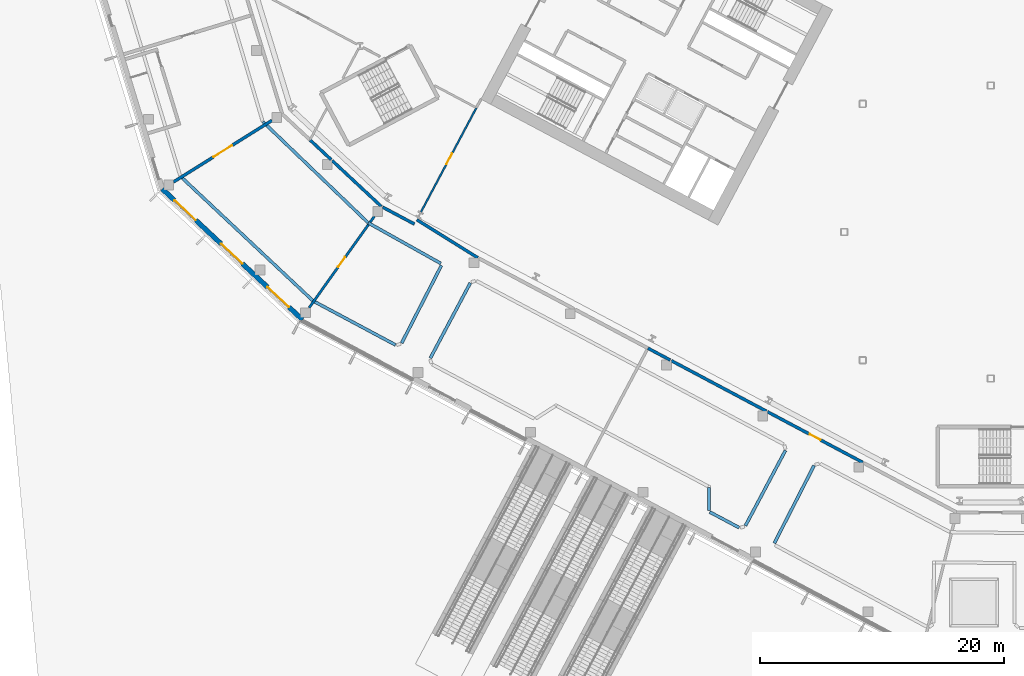
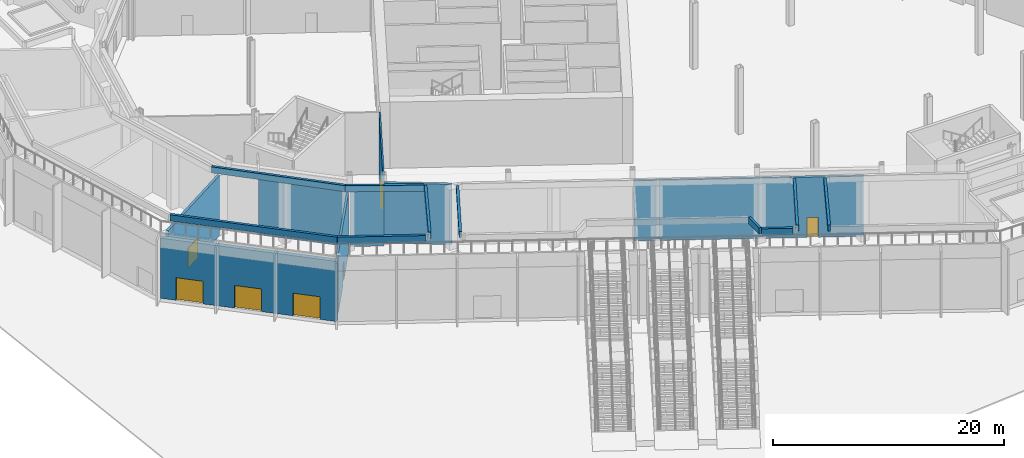
# One storey, part 15 of 57: 21 walls, 7 doors, 7 openings.
"""IFC4 building model written with IfcOpenShell, lengths in metres."""

import ifcopenshell
import ifcopenshell.guid

model = None  # the IFC model being written
_history = None  # IfcOwnerHistory: only IFC2X3 demands one
_inside = {}  # id of a spatial element -> (the spatial element, [elements in it])
_under = {}  # id of a project, library or spatial element -> (it, [spatial elements below it])
_declared = {}  # id of a project -> (the project, [libraries it declares])
_typed = {}  # id of a type object -> (the type object, [elements of that type])
_made_of = {}  # id of a material, layer set ... -> (it, [elements and type objects made of it])


def new_model(schema):
    """Start an empty IFC model of exactly this schema.

    Asked for "IFC4X3", IfcOpenShell would pick the latest addendum, in which some entities
    have other attributes; the version numbers below select the first issue.
    IFC2X3 requires an IfcOwnerHistory on every rooted entity: one is made here for all.
    """
    global model, _history
    if schema == "IFC4X3":
        model = ifcopenshell.file(schema_version=(4, 3, 0, 0))
    else:
        model = ifcopenshell.file(schema=schema)
    _inside.clear()
    _under.clear()
    _declared.clear()
    _typed.clear()
    _made_of.clear()
    _history = None
    if model.schema == "IFC2X3":
        org = make("IfcOrganization", Name="unknown")
        user = make(
            "IfcPersonAndOrganization",
            ThePerson=make("IfcPerson", FamilyName="unknown"),
            TheOrganization=org,
        )
        app = make(
            "IfcApplication",
            ApplicationDeveloper=org,
            Version="unknown",
            ApplicationFullName="unknown",
            ApplicationIdentifier="unknown",
        )
        _history = make(
            "IfcOwnerHistory",
            OwningUser=user,
            OwningApplication=app,
            ChangeAction="ADDED",
            CreationDate=0,
        )
    return model


def make(cls, **values):
    """One entity of the class cls with the attributes given. An attribute that is None is left unset."""
    return model.create_entity(
        cls, **{name: value for name, value in values.items() if value is not None}
    )


def rooted(cls, **values):
    """An entity with a GlobalId (a new one), such as an element, a storey or a relation."""
    return make(cls, GlobalId=ifcopenshell.guid.new(), OwnerHistory=_history, **values)


def si_unit(unit_type, name, prefix=None):
    """IfcSIUnit, for example si_unit("LENGTHUNIT", "METRE", prefix="MILLI")."""
    return make("IfcSIUnit", UnitType=unit_type, Prefix=prefix, Name=name)


def assignment(units):
    """IfcUnitAssignment: the units of a project."""
    return None if units is None else make("IfcUnitAssignment", Units=units)


def point(xyz):
    """IfcCartesianPoint."""
    return None if xyz is None else make("IfcCartesianPoint", Coordinates=xyz)


def direction(xyz):
    """IfcDirection."""
    return None if xyz is None else make("IfcDirection", DirectionRatios=xyz)


def frame(location, z_axis=None, x_axis=None):
    """IfcAxis2Placement3D, a coordinate frame: its origin and axes. An axis left out is left unset."""
    return make(
        "IfcAxis2Placement3D",
        Location=point(location),
        Axis=direction(z_axis),
        RefDirection=direction(x_axis),
    )


def frame_2d(location, x_axis=None):
    """IfcAxis2Placement2D, a coordinate frame in the plane: its origin and x axis."""
    return make(
        "IfcAxis2Placement2D", Location=point(location), RefDirection=direction(x_axis)
    )


def origin():
    """The frame at (0, 0, 0) with its axes left unset."""
    return frame((0.0, 0.0, 0.0))


def place(relative_to, where):
    """IfcLocalPlacement: puts the frame where relative to a parent placement (None: the world)."""
    return make(
        "IfcLocalPlacement", PlacementRelTo=relative_to, RelativePlacement=where
    )


def context(
    kind, dimensions, precision=None, world=None, true_north=None, identifier=None
):
    """IfcGeometricRepresentationContext, for example the 3D "Model" context."""
    return make(
        "IfcGeometricRepresentationContext",
        ContextIdentifier=identifier,
        ContextType=kind,
        CoordinateSpaceDimension=dimensions,
        Precision=precision,
        WorldCoordinateSystem=world,
        TrueNorth=true_north,
    )


def subcontext(parent, identifier, kind, view, scale=None):
    """IfcGeometricRepresentationSubContext, for example "Body" below "Model"."""
    return make(
        "IfcGeometricRepresentationSubContext",
        ContextIdentifier=identifier,
        ContextType=kind,
        ParentContext=parent,
        TargetScale=scale,
        TargetView=view,
    )


def project(units=None, contexts=None):
    """IfcProject with its units and contexts."""
    return rooted(
        "IfcProject",
        Name="project",
        RepresentationContexts=contexts,
        UnitsInContext=assignment(units),
    )


def spatial(cls, under=None, at=None, **own):
    """A site, building, storey or space (cls), placed at a placement, below another one or the project."""
    s = rooted(cls, ObjectPlacement=at, **own)
    if under is not None:
        _under.setdefault(under.id(), (under, []))[1].append(s)
    return s


def profile(cls, at=None, kind="AREA", **sizes):
    """A parametric profile (cls). Its sizes go by their IFC names, for example OverallWidth=200.0."""
    return make(cls, ProfileType=kind, Position=at, **sizes)


def rectangle(**sizes):
    """IfcRectangleProfileDef."""
    return profile("IfcRectangleProfileDef", **sizes)


def extrude(swept, where, along, depth):
    """IfcExtrudedAreaSolid: the profile swept, set in the frame where, extruded along a direction by depth."""
    return make(
        "IfcExtrudedAreaSolid",
        SweptArea=swept,
        Position=where,
        ExtrudedDirection=direction(along),
        Depth=depth,
    )


def shape(context_of_items, identifier, shape_type, items):
    """IfcShapeRepresentation: the items that make up one representation, for example the "Body"."""
    return make(
        "IfcShapeRepresentation",
        ContextOfItems=context_of_items,
        RepresentationIdentifier=identifier,
        RepresentationType=shape_type,
        Items=items,
    )


def material(Name=None, Category=None):
    """IfcMaterial."""
    return make("IfcMaterial", Name=Name, Category=Category)


def layer(
    of_material, thickness, ventilated=None, Name=None, Category=None, Priority=None
):
    """IfcMaterialLayer: one layer of a wall or slab, of a material (None: an air gap)."""
    return make(
        "IfcMaterialLayer",
        Material=of_material,
        LayerThickness=thickness,
        IsVentilated=ventilated,
        Name=Name,
        Category=Category,
        Priority=Priority,
    )


def layer_set(layers, Name=None):
    """IfcMaterialLayerSet."""
    return make("IfcMaterialLayerSet", MaterialLayers=layers, LayerSetName=Name)


def made_of(thing, what):
    """Note that an element or type object is made of a material, layer set ...; save() writes the relation."""
    if what is not None:
        _made_of.setdefault(what.id(), (what, []))[1].append(thing)
    return thing


def type_object(cls, material=None, **own):
    """A type object (cls), such as IfcWallType, which elements share."""
    return made_of(rooted(cls, **own), material)


def element(
    cls,
    number,
    at=None,
    inside=None,
    cuts=None,
    type_object=None,
    material=None,
    context=None,
    identifier="Body",
    shape_type=None,
    held_by="IfcProductDefinitionShape",
    body=None,
    shapes=None,
    **own,
):
    """One element of the class cls, such as IfcWall. Its Tag is "e" and its number.

    at: its placement. inside: the storey or other place that contains it. cuts: it is an
    opening in that element (IfcRelVoidsElement). A single representation is given by context,
    identifier, shape_type and body (its items); several are given by shapes. held_by: the class
    of the entity that holds the representations. save() writes the other relations.
    """
    e = rooted(cls, Tag="e%d" % number, ObjectPlacement=at, **own)
    if body is not None:
        shapes = [shape(context, identifier, shape_type, body)]
    if shapes is not None:
        e.Representation = make(held_by, Representations=shapes)
    if inside is not None:
        _inside.setdefault(inside.id(), (inside, []))[1].append(e)
    if cuts is not None:
        rooted(
            "IfcRelVoidsElement", RelatingBuildingElement=cuts, RelatedOpeningElement=e
        )
    if type_object is not None:
        _typed.setdefault(type_object.id(), (type_object, []))[1].append(e)
    return made_of(e, material)


def fill(opening, filler):
    """IfcRelFillsElement: the door or window that sits in an opening."""
    return rooted(
        "IfcRelFillsElement",
        RelatingOpeningElement=opening,
        RelatedBuildingElement=filler,
    )


def aggregate(whole, parts):
    """IfcRelAggregates: a whole, such as a stair, and the parts it consists of."""
    return rooted("IfcRelAggregates", RelatingObject=whole, RelatedObjects=parts)


def save(model, path):
    """Write the relations noted so far, then the file.

    IfcRelAggregates (storeys below a building ...), IfcRelContainedInSpatialStructure (elements
    in a storey), IfcRelDefinesByType, IfcRelAssociatesMaterial and IfcRelDeclares: one each for
    every whole, place, type object, material and project.
    """
    for whole, parts in _under.values():
        aggregate(whole, parts)
    for where, things in _inside.values():
        rooted(
            "IfcRelContainedInSpatialStructure",
            RelatedElements=things,
            RelatingStructure=where,
        )
    for kind, things in _typed.values():
        rooted("IfcRelDefinesByType", RelatedObjects=things, RelatingType=kind)
    for what, things in _made_of.values():
        rooted("IfcRelAssociatesMaterial", RelatedObjects=things, RelatingMaterial=what)
    for by, libraries in _declared.values():
        rooted("IfcRelDeclares", RelatingContext=by, RelatedDefinitions=libraries)
    model.write(path)


model = new_model("IFC4")

# Units and contexts
model_context = context("Model", 3, precision=1e-05, world=origin(), true_north=direction((0.0, 1.0)))
body_context = subcontext(model_context, "Body", "Model", "MODEL_VIEW")
ifc_project = project(units=[si_unit("LENGTHUNIT", "METRE"), si_unit("AREAUNIT", "SQUARE_METRE"), si_unit("VOLUMEUNIT", "CUBIC_METRE"), si_unit("PLANEANGLEUNIT", "RADIAN"), si_unit("MASSUNIT", "GRAM", prefix="KILO")], contexts=[model_context])

# Site, building, storey
site_placement = place(None, origin())
site = spatial("IfcSite", under=ifc_project, at=site_placement, CompositionType="ELEMENT")
building_placement = place(site_placement, origin())
building = spatial("IfcBuilding", under=site, at=building_placement, Name="Cormorant Relay Tower", CompositionType="ELEMENT")
storey_placement = place(building_placement, origin())
storey = spatial("IfcBuildingStorey", under=building, at=storey_placement, Name="L00", CompositionType="ELEMENT", Elevation=0.0)

# Wall, openings, doors
ifc_material_1 = material(Name="Concrete 40 MPa with granite cladding", Category="masonry")
ifc_layer_1 = layer(ifc_material_1, 0.39990234375)
ifc_layer_set_1 = layer_set([ifc_layer_1], Name="Base facade wall 400")
wall_type_1 = type_object("IfcWallType", Name="Base facade wall 400", PredefinedType="SOLIDWALL", material=ifc_layer_set_1)
wall_1_placement = place(storey_placement, frame((-67.901611328125, 3.5244140625, 0.0), z_axis=(0.0, 0.0, 1.0), x_axis=(0.731345713801, -0.682006925848, 0.0)))
wall_1 = element("IfcWall", 1, at=wall_1_placement, inside=storey, type_object=wall_type_1, Name="Base facade wall", PredefinedType="SOLIDWALL", context=body_context, shape_type="SweptSolid", body=[
    extrude(rectangle(XDim=15.705810546875, YDim=0.39990234375, at=frame_2d((7.85302734375, 0.0))), origin(), (0.0, 0.0, 1.0), 6.3701171875),
])
opening_1_placement = place(wall_1_placement, frame((1.357421875, 0.0, 0.0)))
opening_1 = element("IfcOpeningElement", 2, at=opening_1_placement, cuts=wall_1, Name="Opening PD6-005", PredefinedType="OPENING", context=body_context, shape_type="SweptSolid", body=[
    extrude(rectangle(XDim=2.39990234375, YDim=2.39990234375, at=frame_2d((1.199951171875, 1.199951171875))), frame((0.0, 0.2099609375, 0.0), z_axis=(0.0, -1.0, 0.0), x_axis=(1.0, 0.0, 0.0)), (0.0, 0.0, 1.0), 0.419921875),
])
opening_2_placement = place(wall_1_placement, frame((6.579345703125, 0.0, 0.0)))
opening_2 = element("IfcOpeningElement", 3, at=opening_2_placement, cuts=wall_1, Name="Opening PD6-006", PredefinedType="OPENING", context=body_context, shape_type="SweptSolid", body=[
    extrude(rectangle(XDim=2.39990234375, YDim=2.39990234375, at=frame_2d((1.199951171875, 1.199951171875))), frame((0.0, 0.2099609375, 0.0), z_axis=(0.0, -1.0, 0.0), x_axis=(1.0, 0.0, 0.0)), (0.0, 0.0, 1.0), 0.419921875),
])
opening_3_placement = place(wall_1_placement, frame((11.80126953125, 0.0, 0.0)))
opening_3 = element("IfcOpeningElement", 4, at=opening_3_placement, cuts=wall_1, Name="Opening PD6-007", PredefinedType="OPENING", context=body_context, shape_type="SweptSolid", body=[
    extrude(rectangle(XDim=2.39990234375, YDim=2.39990234375, at=frame_2d((1.199951171875, 1.199951171875))), frame((0.0, 0.2099609375, 0.0), z_axis=(0.0, -1.0, 0.0), x_axis=(1.0, 0.0, 0.0)), (0.0, 0.0, 1.0), 0.419921875),
])
ifc_material_2 = material(Name="Bronze framed glass door", Category="glass")
door_type_1 = type_object("IfcDoorType", Name="Door entrance double 2400", OperationType="DOUBLE_DOOR_SINGLE_SWING", PredefinedType="DOOR", material=ifc_material_2)
door_1_placement = place(opening_1_placement, frame((2.39990234375, 0.0, 0.0), z_axis=(0.0, 0.0, 1.0), x_axis=(-1.0, 0.0, 0.0)))
door_1 = element("IfcDoor", 5, at=door_1_placement, inside=storey, type_object=door_type_1, Name="Entrance door", OperationType="DOUBLE_DOOR_SINGLE_SWING", OverallHeight=2.39990234375, OverallWidth=2.39990234375, PredefinedType="DOOR", context=body_context, shape_type="SweptSolid", body=[
    extrude(rectangle(XDim=2.39990234375, YDim=2.39990234375, at=frame_2d((1.199951171875, 1.199951171875))), frame((0.0, 0.02490234375, 0.0), z_axis=(0.0, -1.0, 0.0), x_axis=(1.0, 0.0, 0.0)), (0.0, 0.0, 1.0), 0.050048828125),
])
fill(opening_1, door_1)
door_2_placement = place(opening_2_placement, frame((2.39990234375, 0.0, 0.0), z_axis=(0.0, 0.0, 1.0), x_axis=(-1.0, 0.0, 0.0)))
door_2 = element("IfcDoor", 6, at=door_2_placement, inside=storey, type_object=door_type_1, Name="Entrance door", OperationType="DOUBLE_DOOR_SINGLE_SWING", OverallHeight=2.39990234375, OverallWidth=2.39990234375, PredefinedType="DOOR", context=body_context, shape_type="SweptSolid", body=[
    extrude(rectangle(XDim=2.39990234375, YDim=2.39990234375, at=frame_2d((1.199951171875, 1.199951171875))), frame((0.0, 0.02490234375, 0.0), z_axis=(0.0, -1.0, 0.0), x_axis=(1.0, 0.0, 0.0)), (0.0, 0.0, 1.0), 0.050048828125),
])
fill(opening_2, door_2)
door_3_placement = place(opening_3_placement, frame((2.39990234375, 0.0, 0.0), z_axis=(0.0, 0.0, 1.0), x_axis=(-1.0, 0.0, 0.0)))
door_3 = element("IfcDoor", 7, at=door_3_placement, inside=storey, type_object=door_type_1, Name="Entrance door", OperationType="DOUBLE_DOOR_SINGLE_SWING", OverallHeight=2.39990234375, OverallWidth=2.39990234375, PredefinedType="DOOR", context=body_context, shape_type="SweptSolid", body=[
    extrude(rectangle(XDim=2.39990234375, YDim=2.39990234375, at=frame_2d((1.199951171875, 1.199951171875))), frame((0.0, 0.02490234375, 0.0), z_axis=(0.0, -1.0, 0.0), x_axis=(1.0, 0.0, 0.0)), (0.0, 0.0, 1.0), 0.050048828125),
])
fill(opening_3, door_3)

# Wall, opening, door
ifc_material_3 = material(Name="Concrete masonry 20 MPa", Category="masonry")
ifc_layer_2 = layer(ifc_material_3, 0.25)
ifc_layer_set_2 = layer_set([ifc_layer_2], Name="Fire separation wall 250")
wall_type_2 = type_object("IfcWallType", Name="Fire separation wall 250", PredefinedType="SOLIDWALL", material=ifc_layer_set_2)
wall_2_placement = place(storey_placement, frame((-66.97509765625, 4.103271484375, 0.0), z_axis=(0.0, 0.0, 1.0), x_axis=(0.848048758951, 0.529918203539, 0.0)))
wall_2 = element("IfcWall", 8, at=wall_2_placement, inside=storey, type_object=wall_type_2, Name="Partition", PredefinedType="SOLIDWALL", context=body_context, shape_type="SweptSolid", body=[
    extrude(rectangle(XDim=9.513671875, YDim=0.25, at=frame_2d((4.7568359375, 0.0))), origin(), (0.0, 0.0, 1.0), 6.3701171875),
])
opening_4_placement = place(wall_2_placement, frame((3.85693359375, 0.0, 0.0)))
opening_4 = element("IfcOpeningElement", 9, at=opening_4_placement, cuts=wall_2, Name="Opening PD3-019", PredefinedType="OPENING", context=body_context, shape_type="SweptSolid", body=[
    extrude(rectangle(XDim=1.800048828125, YDim=2.10009765625, at=frame_2d((0.89990234375, 1.050048828125))), frame((0.0, 0.135009765625, 0.0), z_axis=(0.0, -1.0, 0.0), x_axis=(1.0, 0.0, 0.0)), (0.0, 0.0, 1.0), 0.27001953125),
])
ifc_material_4 = material(Name="Steel door leaf", Category="steel")
door_type_2 = type_object("IfcDoorType", Name="Door double 1800", OperationType="DOUBLE_DOOR_SINGLE_SWING", PredefinedType="DOOR", material=ifc_material_4)
door_4_placement = place(opening_4_placement, frame((1.800048828125, 0.0, 0.0), z_axis=(0.0, 0.0, 1.0), x_axis=(-1.0, 0.0, 0.0)))
door_4 = element("IfcDoor", 10, at=door_4_placement, inside=storey, type_object=door_type_2, Name="Door", OperationType="DOUBLE_DOOR_SINGLE_SWING", OverallHeight=2.10009765625, OverallWidth=1.800048828125, PredefinedType="DOOR", context=body_context, shape_type="SweptSolid", body=[
    extrude(rectangle(XDim=1.800048828125, YDim=2.10009765625, at=frame_2d((0.89990234375, 1.050048828125))), frame((0.0, 0.02490234375, 0.0), z_axis=(0.0, -1.0, 0.0), x_axis=(1.0, 0.0, 0.0)), (0.0, 0.0, 1.0), 0.050048828125),
])
fill(opening_4, door_4)

# Walls
wall_3_placement = place(storey_placement, frame((-47.224365234375, 0.64599609375, 0.0), z_axis=(0.0, 0.0, 1.0), x_axis=(-0.882766080441, 0.469812778905, 0.0)))
element("IfcWall", 11, at=wall_3_placement, inside=storey, type_object=wall_type_2, Name="Partition", PredefinedType="SOLIDWALL", context=body_context, shape_type="SweptSolid", body=[
    extrude(rectangle(XDim=2.95849609375, YDim=0.25, at=frame_2d((1.479248046875, 0.0))), origin(), (0.0, 0.0, 1.0), 6.3701171875),
])
wall_4_placement = place(storey_placement, frame((-42.037109375, -2.112060546875, 0.0), z_axis=(0.0, 0.0, 1.0), x_axis=(-0.848449825707, 0.529275819642, 0.0)))
element("IfcWall", 12, at=wall_4_placement, inside=storey, type_object=wall_type_2, Name="Partition", PredefinedType="SOLIDWALL", context=body_context, shape_type="SweptSolid", body=[
    extrude(rectangle(XDim=5.88916015625, YDim=0.25, at=frame_2d((2.944580078125, 0.0))), origin(), (0.0, 0.0, 1.0), 6.3701171875),
])

# Wall, opening, door
wall_5_placement = place(storey_placement, frame((-10.49267578125, -18.883056640625, 0.0), z_axis=(0.0, 0.0, 1.0), x_axis=(-0.882973285467, 0.469423238828, 0.0)))
wall_5 = element("IfcWall", 13, at=wall_5_placement, inside=storey, type_object=wall_type_2, Name="Partition", PredefinedType="SOLIDWALL", context=body_context, shape_type="SweptSolid", body=[
    extrude(rectangle(XDim=8.835205078125, YDim=0.25, at=frame_2d((4.41748046875, 0.0))), origin(), (0.0, 0.0, 1.0), 6.3701171875),
])
opening_5_placement = place(wall_5_placement, frame((3.91796875, 0.0, 0.0)))
opening_5 = element("IfcOpeningElement", 14, at=opening_5_placement, cuts=wall_5, Name="Opening PD1-058", PredefinedType="OPENING", context=body_context, shape_type="SweptSolid", body=[
    extrude(rectangle(XDim=1.0, YDim=2.10009765625, at=frame_2d((0.5, 1.050048828125))), frame((0.0, 0.135009765625, 0.0), z_axis=(0.0, -1.0, 0.0), x_axis=(1.0, 0.0, 0.0)), (0.0, 0.0, 1.0), 0.27001953125),
])
ifc_material_5 = material(Name="Steel door leaf", Category="steel")
door_type_3 = type_object("IfcDoorType", Name="Door single 1000", OperationType="SINGLE_SWING_LEFT", PredefinedType="DOOR", material=ifc_material_5)
door_5_placement = place(opening_5_placement, origin())
door_5 = element("IfcDoor", 15, at=door_5_placement, inside=storey, type_object=door_type_3, Name="Door", OperationType="SINGLE_SWING_LEFT", OverallHeight=2.10009765625, OverallWidth=1.0, PredefinedType="DOOR", context=body_context, shape_type="SweptSolid", body=[
    extrude(rectangle(XDim=1.0, YDim=2.10009765625, at=frame_2d((0.5, 1.050048828125))), frame((0.0, 0.02490234375, 0.0), z_axis=(0.0, -1.0, 0.0), x_axis=(1.0, 0.0, 0.0)), (0.0, 0.0, 1.0), 0.050048828125),
])
fill(opening_5, door_5)

# Walls
wall_6_placement = place(storey_placement, frame((-18.3798828125, -14.68994140625, 0.0), z_axis=(0.0, 0.0, 1.0), x_axis=(-0.882975751466, 0.469418600317, 0.0)))
element("IfcWall", 16, at=wall_6_placement, inside=storey, type_object=wall_type_2, Name="Partition", PredefinedType="SOLIDWALL", context=body_context, shape_type="SweptSolid", body=[
    extrude(rectangle(XDim=8.832763671875, YDim=0.25, at=frame_2d((4.41650390625, 0.0))), origin(), (0.0, 0.0, 1.0), 6.3701171875),
])
wall_7_placement = place(storey_placement, frame((-26.266845703125, -10.4970703125, 0.0), z_axis=(0.0, 0.0, 1.0), x_axis=(-0.882964142915, 0.469440435335, 0.0)))
element("IfcWall", 17, at=wall_7_placement, inside=storey, type_object=wall_type_2, Name="Partition", PredefinedType="SOLIDWALL", context=body_context, shape_type="SweptSolid", body=[
    extrude(rectangle(XDim=2.065185546875, YDim=0.25, at=frame_2d((1.03271484375, 0.0))), origin(), (0.0, 0.0, 1.0), 6.3701171875),
])
wall_8_placement = place(storey_placement, frame((-55.78466796875, 7.5390625, 0.0), z_axis=(0.0, 0.0, 1.0), x_axis=(0.731373339026, -0.681977300914, 0.0)))
element("IfcWall", 18, at=wall_8_placement, inside=storey, type_object=wall_type_2, Name="Partition", PredefinedType="SOLIDWALL", context=body_context, shape_type="SweptSolid", body=[
    extrude(rectangle(XDim=2.34765625, YDim=0.25, at=frame_2d((1.173828125, 0.0))), origin(), (0.0, 0.0, 1.0), 6.3701171875),
])
wall_9_placement = place(storey_placement, frame((-53.971923828125, 5.848876953125, 0.0), z_axis=(0.0, 0.0, 1.0), x_axis=(0.731317536597, -0.682037140239, 0.0)))
element("IfcWall", 19, at=wall_9_placement, inside=storey, type_object=wall_type_2, Name="Partition", PredefinedType="SOLIDWALL", context=body_context, shape_type="SweptSolid", body=[
    extrude(rectangle(XDim=5.509033203125, YDim=0.25, at=frame_2d((2.75439453125, 0.0))), origin(), (0.0, 0.0, 1.0), 6.3701171875),
])

# Wall, opening, door
ifc_material_6 = material(Name="Gypsum board on steel stud", Category="steel")
ifc_layer_3 = layer(ifc_material_6, 0.14990234375)
ifc_layer_set_3 = layer_set([ifc_layer_3], Name="Partition 150")
wall_type_3 = type_object("IfcWallType", Name="Partition 150", PredefinedType="PARTITIONING", material=ifc_layer_set_3)
wall_10_placement = place(storey_placement, frame((-46.700439453125, 1.631591796875, 0.0), z_axis=(0.0, 0.0, 1.0), x_axis=(0.46948131983, 0.882942404878, 0.0)))
wall_10 = element("IfcWall", 20, at=wall_10_placement, inside=storey, type_object=wall_type_3, Name="Partition", PredefinedType="PARTITIONING", context=body_context, shape_type="SweptSolid", body=[
    extrude(rectangle(XDim=9.68798828125, YDim=0.14990234375, at=frame_2d((4.843994140625, 0.0))), origin(), (0.0, 0.0, 1.0), 6.550048828125),
])
opening_6_placement = place(wall_10_placement, frame((4.442626953125, 0.0, 0.0)))
opening_6 = element("IfcOpeningElement", 21, at=opening_6_placement, cuts=wall_10, Name="Opening PD1-072", PredefinedType="OPENING", context=body_context, shape_type="SweptSolid", body=[
    extrude(rectangle(XDim=1.0, YDim=2.10009765625, at=frame_2d((0.5, 1.050048828125))), frame((0.0, 0.0849609375, 0.0), z_axis=(0.0, -1.0, 0.0), x_axis=(1.0, 0.0, 0.0)), (0.0, 0.0, 1.0), 0.169921875),
])
door_6_placement = place(opening_6_placement, origin())
door_6 = element("IfcDoor", 22, at=door_6_placement, inside=storey, type_object=door_type_3, Name="Door", OperationType="SINGLE_SWING_RIGHT", OverallHeight=2.10009765625, OverallWidth=1.0, PredefinedType="DOOR", context=body_context, shape_type="SweptSolid", body=[
    extrude(rectangle(XDim=1.0, YDim=2.10009765625, at=frame_2d((0.5, 1.050048828125))), frame((0.0, 0.02490234375, 0.0), z_axis=(0.0, -1.0, 0.0), x_axis=(1.0, 0.0, 0.0)), (0.0, 0.0, 1.0), 0.050048828125),
])
fill(opening_6, door_6)

ifc_material_7 = material(Name="Concrete masonry 20 MPa", Category="masonry")
ifc_layer_4 = layer(ifc_material_7, 0.199951171875)
ifc_layer_set_4 = layer_set([ifc_layer_4], Name="Plant room wall 200")
wall_type_4 = type_object("IfcWallType", Name="Plant room wall 200", PredefinedType="PARTITIONING", material=ifc_layer_set_4)
wall_11_placement = place(storey_placement, frame((-50.521240234375, 1.281005859375, 0.0), z_axis=(0.0, 0.0, 1.0), x_axis=(-0.580708624763, -0.814111474631, 0.0)))
wall_11 = element("IfcWall", 23, at=wall_11_placement, inside=storey, type_object=wall_type_4, Name="Partition", PredefinedType="PARTITIONING", context=body_context, shape_type="SweptSolid", body=[
    extrude(rectangle(XDim=9.203857421875, YDim=0.199951171875, at=frame_2d((4.60205078125, 0.0))), origin(), (0.0, 0.0, 1.0), 6.3701171875),
])
opening_7_placement = place(wall_11_placement, frame((4.10205078125, 0.0, 0.0)))
opening_7 = element("IfcOpeningElement", 24, at=opening_7_placement, cuts=wall_11, Name="Opening PD1-057", PredefinedType="OPENING", context=body_context, shape_type="SweptSolid", body=[
    extrude(rectangle(XDim=1.0, YDim=2.10009765625, at=frame_2d((0.5, 1.050048828125))), frame((0.0, 0.10986328125, 0.0), z_axis=(0.0, -1.0, 0.0), x_axis=(1.0, 0.0, 0.0)), (0.0, 0.0, 1.0), 0.219970703125),
])
door_7_placement = place(opening_7_placement, frame((1.0, 0.0, 0.0), z_axis=(0.0, 0.0, 1.0), x_axis=(-1.0, 0.0, 0.0)))
door_7 = element("IfcDoor", 25, at=door_7_placement, inside=storey, type_object=door_type_3, Name="Door", OperationType="SINGLE_SWING_RIGHT", OverallHeight=2.10009765625, OverallWidth=1.0, PredefinedType="DOOR", context=body_context, shape_type="SweptSolid", body=[
    extrude(rectangle(XDim=1.0, YDim=2.10009765625, at=frame_2d((0.5, 1.050048828125))), frame((0.0, 0.02490234375, 0.0), z_axis=(0.0, -1.0, 0.0), x_axis=(1.0, 0.0, 0.0)), (0.0, 0.0, 1.0), 0.050048828125),
])
fill(opening_7, door_7)

# Walls
ifc_material_8 = material(Name="Concrete 40 MPa", Category="concrete")
ifc_layer_5 = layer(ifc_material_8, 0.25)
ifc_layer_set_5 = layer_set([ifc_layer_5], Name="Planter kerb 250")
wall_type_5 = type_object("IfcWallType", Name="Planter kerb 250", PredefinedType="STANDARD", material=ifc_layer_set_5)
wall_12_placement = place(storey_placement, frame((-17.732666015625, -25.496337890625, 7.0), z_axis=(0.0, 0.0, 1.0), x_axis=(0.455571677851, 0.890199104886, 0.0)))
element("IfcWall", 26, at=wall_12_placement, inside=storey, type_object=wall_type_5, Name="PLANTER 01 kerb", PredefinedType="STANDARD", context=body_context, shape_type="SweptSolid", body=[
    extrude(rectangle(XDim=7.1337890625, YDim=0.25, at=frame_2d((3.56689453125, 0.0))), origin(), (0.0, 0.0, 1.0), 0.64990234375),
])
wall_13_placement = place(storey_placement, frame((-20.61865234375, -24.2314453125, 7.0), z_axis=(0.0, 0.0, 1.0), x_axis=(-0.882955957849, 0.46945583019, 0.0)))
element("IfcWall", 27, at=wall_13_placement, inside=storey, type_object=wall_type_5, Name="PLANTER 03 kerb", PredefinedType="STANDARD", context=body_context, shape_type="SweptSolid", body=[
    extrude(rectangle(XDim=2.731201171875, YDim=0.25, at=frame_2d((1.36572265625, 0.0))), origin(), (0.0, 0.0, 1.0), 0.64990234375),
])
wall_14_placement = place(storey_placement, frame((-23.096435546875, -22.838623046875, 7.0), z_axis=(0.0, 0.0, 1.0), x_axis=(0.002074415347, 0.999997848398, 0.0)))
element("IfcWall", 28, at=wall_14_placement, inside=storey, type_object=wall_type_5, Name="PLANTER 03 kerb", PredefinedType="STANDARD", context=body_context, shape_type="SweptSolid", body=[
    extrude(rectangle(XDim=1.883056640625, YDim=0.25, at=frame_2d((0.94140625, 0.0))), origin(), (0.0, 0.0, 1.0), 0.64990234375),
])
wall_15_placement = place(storey_placement, frame((-45.932373046875, -10.34326171875, 7.0), z_axis=(0.0, 0.0, 1.0), x_axis=(0.469458954787, 0.882954296535, 0.0)))
element("IfcWall", 29, at=wall_15_placement, inside=storey, type_object=wall_type_5, Name="PLANTER 03 kerb", PredefinedType="STANDARD", context=body_context, shape_type="SweptSolid", body=[
    extrude(rectangle(XDim=6.9931640625, YDim=0.25, at=frame_2d((3.49658203125, 0.0))), origin(), (0.0, 0.0, 1.0), 0.64990234375),
])
wall_16_placement = place(storey_placement, frame((-16.82373046875, -17.900634765625, 7.0), z_axis=(0.0, 0.0, 1.0), x_axis=(-0.469473426487, -0.882946601909, 0.0)))
element("IfcWall", 30, at=wall_16_placement, inside=storey, type_object=wall_type_5, Name="PLANTER 03 kerb", PredefinedType="STANDARD", context=body_context, shape_type="SweptSolid", body=[
    extrude(rectangle(XDim=6.992919921875, YDim=0.25, at=frame_2d((3.49658203125, 0.0))), origin(), (0.0, 0.0, 1.0), 0.64990234375),
])
wall_17_placement = place(storey_placement, frame((-48.7841796875, -9.25537109375, 7.0), z_axis=(0.0, 0.0, 1.0), x_axis=(-0.882115498976, 0.471033169178, 0.0)))
element("IfcWall", 31, at=wall_17_placement, inside=storey, type_object=wall_type_5, Name="PLANTER 06 kerb", PredefinedType="STANDARD", context=body_context, shape_type="SweptSolid", body=[
    extrude(rectangle(XDim=7.631591796875, YDim=0.25, at=frame_2d((3.81591796875, 0.0))), origin(), (0.0, 0.0, 1.0), 0.64990234375),
])
wall_18_placement = place(storey_placement, frame((-55.54296875, -5.6416015625, 7.0), z_axis=(0.0, 0.0, 1.0), x_axis=(-0.728908334125, 0.684611306102, 0.0)))
element("IfcWall", 32, at=wall_18_placement, inside=storey, type_object=wall_type_5, Name="PLANTER 06 kerb", PredefinedType="STANDARD", context=body_context, shape_type="SweptSolid", body=[
    extrude(rectangle(XDim=14.886474609375, YDim=0.25, at=frame_2d((7.443359375, 0.0))), origin(), (0.0, 0.0, 1.0), 0.64990234375),
])
wall_19_placement = place(storey_placement, frame((-59.648681640625, 9.038818359375, 7.0), z_axis=(0.0, 0.0, 1.0), x_axis=(0.721064848091, -0.692867581034, 0.0)))
element("IfcWall", 33, at=wall_19_placement, inside=storey, type_object=wall_type_5, Name="PLANTER 06 kerb", PredefinedType="STANDARD", context=body_context, shape_type="SweptSolid", body=[
    extrude(rectangle(XDim=11.939697265625, YDim=0.25, at=frame_2d((5.9697265625, 0.0))), origin(), (0.0, 0.0, 1.0), 0.64990234375),
])
wall_20_placement = place(storey_placement, frame((-51.013671875, 0.747314453125, 7.0), z_axis=(0.0, 0.0, 1.0), x_axis=(0.872584878438, -0.488462516394, 0.0)))
element("IfcWall", 34, at=wall_20_placement, inside=storey, type_object=wall_type_5, Name="PLANTER 06 kerb", PredefinedType="STANDARD", context=body_context, shape_type="SweptSolid", body=[
    extrude(rectangle(XDim=6.80908203125, YDim=0.25, at=frame_2d((3.404541015625, 0.0))), origin(), (0.0, 0.0, 1.0), 0.64990234375),
])
wall_21_placement = place(storey_placement, frame((-45.02197265625, -2.74462890625, 7.0), z_axis=(0.0, 0.0, 1.0), x_axis=(-0.455581724092, -0.890193963512, 0.0)))
element("IfcWall", 35, at=wall_21_placement, inside=storey, type_object=wall_type_5, Name="PLANTER 06 kerb", PredefinedType="STANDARD", context=body_context, shape_type="SweptSolid", body=[
    extrude(rectangle(XDim=7.136962890625, YDim=0.25, at=frame_2d((3.568359375, 0.0))), origin(), (0.0, 0.0, 1.0), 0.64990234375),
])

save(model, "model.ifc")
